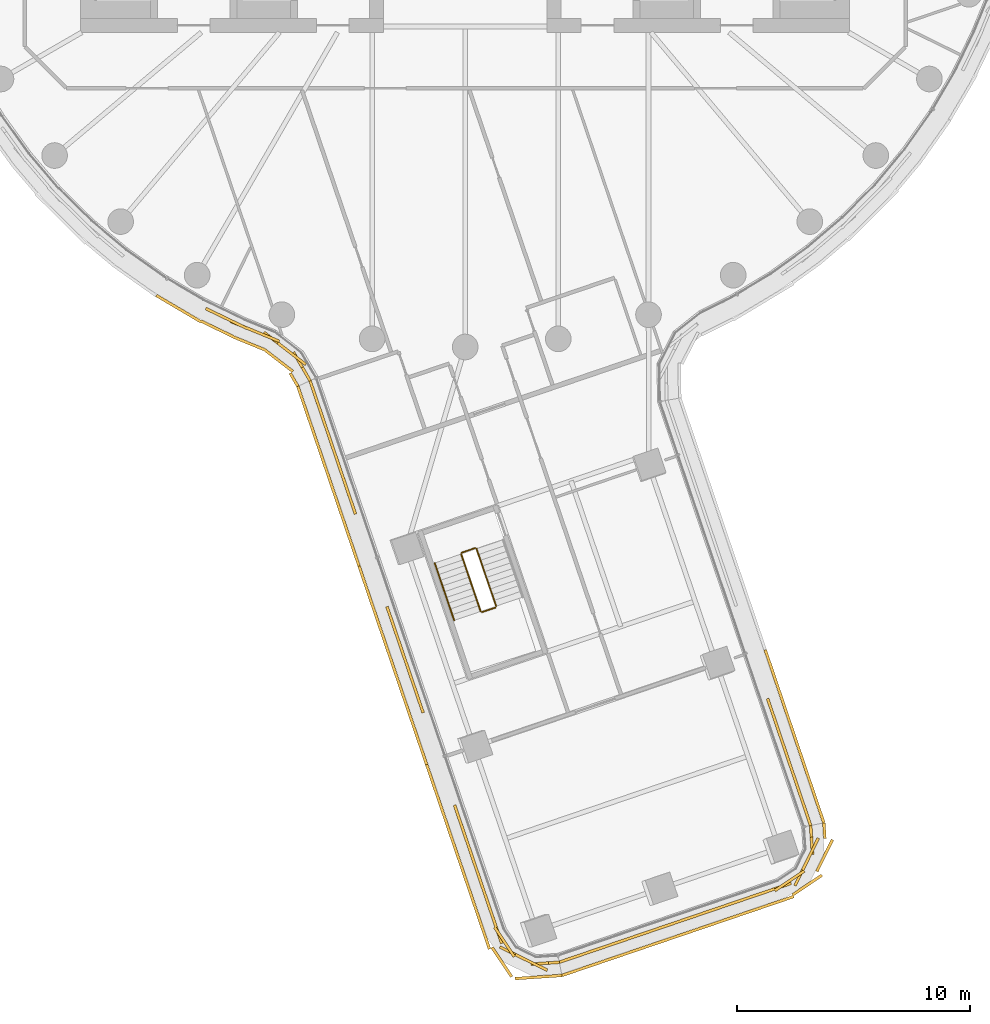
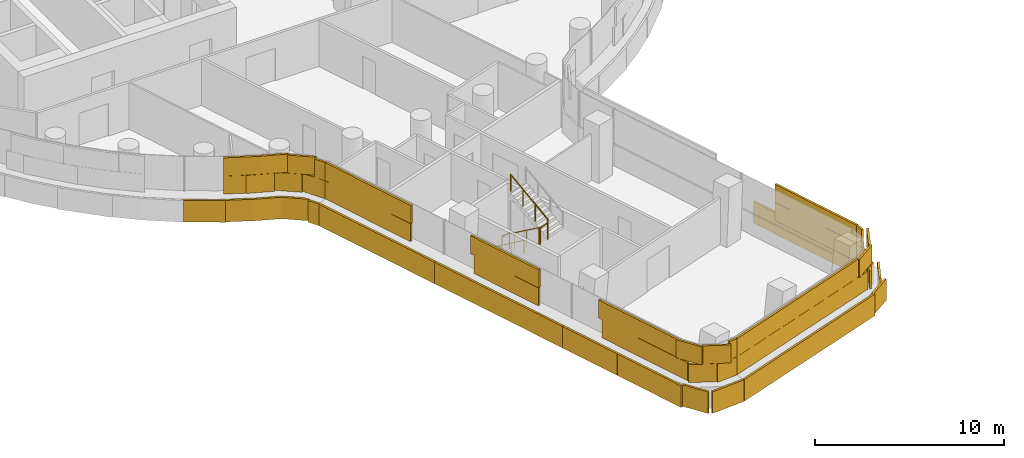
# One storey, part 23 of 29: 6 coverings, 5 railings.
"""IFC4 building model written with IfcOpenShell, lengths in metres."""

import ifcopenshell
import ifcopenshell.guid

model = None  # the IFC model being written
_history = None  # IfcOwnerHistory: only IFC2X3 demands one
_inside = {}  # id of a spatial element -> (the spatial element, [elements in it])
_under = {}  # id of a project, library or spatial element -> (it, [spatial elements below it])
_declared = {}  # id of a project -> (the project, [libraries it declares])
_typed = {}  # id of a type object -> (the type object, [elements of that type])
_made_of = {}  # id of a material, layer set ... -> (it, [elements and type objects made of it])


def new_model(schema):
    """Start an empty IFC model of exactly this schema.

    Asked for "IFC4X3", IfcOpenShell would pick the latest addendum, in which some entities
    have other attributes; the version numbers below select the first issue.
    IFC2X3 requires an IfcOwnerHistory on every rooted entity: one is made here for all.
    """
    global model, _history
    if schema == "IFC4X3":
        model = ifcopenshell.file(schema_version=(4, 3, 0, 0))
    else:
        model = ifcopenshell.file(schema=schema)
    _inside.clear()
    _under.clear()
    _declared.clear()
    _typed.clear()
    _made_of.clear()
    _history = None
    if model.schema == "IFC2X3":
        org = make("IfcOrganization", Name="unknown")
        user = make(
            "IfcPersonAndOrganization",
            ThePerson=make("IfcPerson", FamilyName="unknown"),
            TheOrganization=org,
        )
        app = make(
            "IfcApplication",
            ApplicationDeveloper=org,
            Version="unknown",
            ApplicationFullName="unknown",
            ApplicationIdentifier="unknown",
        )
        _history = make(
            "IfcOwnerHistory",
            OwningUser=user,
            OwningApplication=app,
            ChangeAction="ADDED",
            CreationDate=0,
        )
    return model


def make(cls, **values):
    """One entity of the class cls with the attributes given. An attribute that is None is left unset."""
    return model.create_entity(
        cls, **{name: value for name, value in values.items() if value is not None}
    )


def rooted(cls, **values):
    """An entity with a GlobalId (a new one), such as an element, a storey or a relation."""
    return make(cls, GlobalId=ifcopenshell.guid.new(), OwnerHistory=_history, **values)


def si_unit(unit_type, name, prefix=None):
    """IfcSIUnit, for example si_unit("LENGTHUNIT", "METRE", prefix="MILLI")."""
    return make("IfcSIUnit", UnitType=unit_type, Prefix=prefix, Name=name)


def assignment(units):
    """IfcUnitAssignment: the units of a project."""
    return None if units is None else make("IfcUnitAssignment", Units=units)


def point(xyz):
    """IfcCartesianPoint."""
    return None if xyz is None else make("IfcCartesianPoint", Coordinates=xyz)


def direction(xyz):
    """IfcDirection."""
    return None if xyz is None else make("IfcDirection", DirectionRatios=xyz)


def frame(location, z_axis=None, x_axis=None):
    """IfcAxis2Placement3D, a coordinate frame: its origin and axes. An axis left out is left unset."""
    return make(
        "IfcAxis2Placement3D",
        Location=point(location),
        Axis=direction(z_axis),
        RefDirection=direction(x_axis),
    )


def frame_2d(location, x_axis=None):
    """IfcAxis2Placement2D, a coordinate frame in the plane: its origin and x axis."""
    return make(
        "IfcAxis2Placement2D", Location=point(location), RefDirection=direction(x_axis)
    )


def origin():
    """The frame at (0, 0, 0) with its axes left unset."""
    return frame((0.0, 0.0, 0.0))


def origin_2d():
    """The frame at (0, 0) in the plane with its x axis left unset."""
    return frame_2d((0.0, 0.0))


def place(relative_to, where):
    """IfcLocalPlacement: puts the frame where relative to a parent placement (None: the world)."""
    return make(
        "IfcLocalPlacement", PlacementRelTo=relative_to, RelativePlacement=where
    )


def context(
    kind, dimensions, precision=None, world=None, true_north=None, identifier=None
):
    """IfcGeometricRepresentationContext, for example the 3D "Model" context."""
    return make(
        "IfcGeometricRepresentationContext",
        ContextIdentifier=identifier,
        ContextType=kind,
        CoordinateSpaceDimension=dimensions,
        Precision=precision,
        WorldCoordinateSystem=world,
        TrueNorth=true_north,
    )


def subcontext(parent, identifier, kind, view, scale=None):
    """IfcGeometricRepresentationSubContext, for example "Body" below "Model"."""
    return make(
        "IfcGeometricRepresentationSubContext",
        ContextIdentifier=identifier,
        ContextType=kind,
        ParentContext=parent,
        TargetScale=scale,
        TargetView=view,
    )


def project(units=None, contexts=None):
    """IfcProject with its units and contexts."""
    return rooted(
        "IfcProject",
        Name="project",
        RepresentationContexts=contexts,
        UnitsInContext=assignment(units),
    )


def spatial(cls, under=None, at=None, **own):
    """A site, building, storey or space (cls), placed at a placement, below another one or the project."""
    s = rooted(cls, ObjectPlacement=at, **own)
    if under is not None:
        _under.setdefault(under.id(), (under, []))[1].append(s)
    return s


def profile(cls, at=None, kind="AREA", **sizes):
    """A parametric profile (cls). Its sizes go by their IFC names, for example OverallWidth=200.0."""
    return make(cls, ProfileType=kind, Position=at, **sizes)


def rectangle(**sizes):
    """IfcRectangleProfileDef."""
    return profile("IfcRectangleProfileDef", **sizes)


def circle(**sizes):
    """IfcCircleProfileDef."""
    return profile("IfcCircleProfileDef", **sizes)


def extrude(swept, where, along, depth):
    """IfcExtrudedAreaSolid: the profile swept, set in the frame where, extruded along a direction by depth."""
    return make(
        "IfcExtrudedAreaSolid",
        SweptArea=swept,
        Position=where,
        ExtrudedDirection=direction(along),
        Depth=depth,
    )


def shape(context_of_items, identifier, shape_type, items):
    """IfcShapeRepresentation: the items that make up one representation, for example the "Body"."""
    return make(
        "IfcShapeRepresentation",
        ContextOfItems=context_of_items,
        RepresentationIdentifier=identifier,
        RepresentationType=shape_type,
        Items=items,
    )


def material(Name=None, Category=None):
    """IfcMaterial."""
    return make("IfcMaterial", Name=Name, Category=Category)


def layer(
    of_material, thickness, ventilated=None, Name=None, Category=None, Priority=None
):
    """IfcMaterialLayer: one layer of a wall or slab, of a material (None: an air gap)."""
    return make(
        "IfcMaterialLayer",
        Material=of_material,
        LayerThickness=thickness,
        IsVentilated=ventilated,
        Name=Name,
        Category=Category,
        Priority=Priority,
    )


def layer_set(layers, Name=None):
    """IfcMaterialLayerSet."""
    return make("IfcMaterialLayerSet", MaterialLayers=layers, LayerSetName=Name)


def made_of(thing, what):
    """Note that an element or type object is made of a material, layer set ...; save() writes the relation."""
    if what is not None:
        _made_of.setdefault(what.id(), (what, []))[1].append(thing)
    return thing


def type_object(cls, material=None, **own):
    """A type object (cls), such as IfcWallType, which elements share."""
    return made_of(rooted(cls, **own), material)


def element(
    cls,
    number,
    at=None,
    inside=None,
    cuts=None,
    type_object=None,
    material=None,
    context=None,
    identifier="Body",
    shape_type=None,
    held_by="IfcProductDefinitionShape",
    body=None,
    shapes=None,
    **own,
):
    """One element of the class cls, such as IfcWall. Its Tag is "e" and its number.

    at: its placement. inside: the storey or other place that contains it. cuts: it is an
    opening in that element (IfcRelVoidsElement). A single representation is given by context,
    identifier, shape_type and body (its items); several are given by shapes. held_by: the class
    of the entity that holds the representations. save() writes the other relations.
    """
    e = rooted(cls, Tag="e%d" % number, ObjectPlacement=at, **own)
    if body is not None:
        shapes = [shape(context, identifier, shape_type, body)]
    if shapes is not None:
        e.Representation = make(held_by, Representations=shapes)
    if inside is not None:
        _inside.setdefault(inside.id(), (inside, []))[1].append(e)
    if cuts is not None:
        rooted(
            "IfcRelVoidsElement", RelatingBuildingElement=cuts, RelatedOpeningElement=e
        )
    if type_object is not None:
        _typed.setdefault(type_object.id(), (type_object, []))[1].append(e)
    return made_of(e, material)


def aggregate(whole, parts):
    """IfcRelAggregates: a whole, such as a stair, and the parts it consists of."""
    return rooted("IfcRelAggregates", RelatingObject=whole, RelatedObjects=parts)


def save(model, path):
    """Write the relations noted so far, then the file.

    IfcRelAggregates (storeys below a building ...), IfcRelContainedInSpatialStructure (elements
    in a storey), IfcRelDefinesByType, IfcRelAssociatesMaterial and IfcRelDeclares: one each for
    every whole, place, type object, material and project.
    """
    for whole, parts in _under.values():
        aggregate(whole, parts)
    for where, things in _inside.values():
        rooted(
            "IfcRelContainedInSpatialStructure",
            RelatedElements=things,
            RelatingStructure=where,
        )
    for kind, things in _typed.values():
        rooted("IfcRelDefinesByType", RelatedObjects=things, RelatingType=kind)
    for what, things in _made_of.values():
        rooted("IfcRelAssociatesMaterial", RelatedObjects=things, RelatingMaterial=what)
    for by, libraries in _declared.values():
        rooted("IfcRelDeclares", RelatingContext=by, RelatedDefinitions=libraries)
    model.write(path)


model = new_model("IFC4")

# Units and contexts
model_context = context("Model", 3, precision=1e-05, world=origin(), true_north=direction((0.0, 1.0)))
body_context = subcontext(model_context, "Body", "Model", "MODEL_VIEW")
ifc_project = project(units=[si_unit("LENGTHUNIT", "METRE"), si_unit("AREAUNIT", "SQUARE_METRE"), si_unit("VOLUMEUNIT", "CUBIC_METRE"), si_unit("PLANEANGLEUNIT", "RADIAN"), si_unit("MASSUNIT", "GRAM", prefix="KILO")], contexts=[model_context])

# Site, building, storey
site_placement = place(None, origin())
site = spatial("IfcSite", under=ifc_project, at=site_placement, CompositionType="ELEMENT")
building_placement = place(site_placement, origin())
building = spatial("IfcBuilding", under=site, at=building_placement, Name="Tamarind Cross Interchange Tower", CompositionType="ELEMENT")
storey_placement = place(building_placement, frame((0.0, 0.0, 102.25)))
storey = spatial("IfcBuildingStorey", under=building, at=storey_placement, Name="L24", CompositionType="ELEMENT", Elevation=102.25)

# Railings
ifc_material_1 = material(Name="Stair guard")
railing_type_1 = type_object("IfcRailingType", Name="Stair guard", PredefinedType="GUARDRAIL", material=ifc_material_1)
railing_1_placement = place(storey_placement, frame((-0.173095703125, -31.883544921875, 0.17041015625)))
element("IfcRailing", 1, at=railing_1_placement, inside=storey, type_object=railing_type_1, Name="L24 ST6 stair guard 1", PredefinedType="GUARDRAIL", context=body_context, shape_type="SweptSolid", body=[
    extrude(circle(Radius=0.02392578125, at=origin_2d()), frame((0.0, 0.0, 1.076171875), z_axis=(0.269588544984, -0.791646408968, 0.548286402878), x_axis=(0.946616378448, 0.322362268348, 0.0)), (0.0, 0.0, 1.0), 3.10888671875),
    extrude(circle(Radius=0.02099609375, at=origin_2d()), origin(), (0.0, 0.0, 1.0), 1.052001953125),
    extrude(circle(Radius=0.02099609375, at=origin_2d()), frame((0.279296875, -0.8203125, 0.568115234375)), (0.0, 0.0, 1.0), 1.052001953125),
    extrude(circle(Radius=0.02099609375, at=origin_2d()), frame((0.558837890625, -1.640869140625, 1.136474609375)), (0.0, 0.0, 1.0), 1.052001953125),
    extrude(circle(Radius=0.02099609375, at=origin_2d()), frame((0.838134765625, -2.461181640625, 1.70458984375)), (0.0, 0.0, 1.0), 1.052001953125),
])
railing_2_placement = place(storey_placement, frame((0.728515625, -34.375732421875, 1.875)))
element("IfcRailing", 2, at=railing_2_placement, inside=storey, type_object=railing_type_1, Name="L24 ST6 stair guard 2", PredefinedType="GUARDRAIL", context=body_context, shape_type="SweptSolid", body=[
    extrude(circle(Radius=0.02392578125, at=origin_2d()), frame((0.0, 0.0, 1.076171875), z_axis=(0.946628770923, 0.322325875568, 0.0), x_axis=(-0.322325875568, 0.946628770923, 0.0)), (0.0, 0.0, 1.0), 0.599853515625),
    extrude(circle(Radius=0.02099609375, at=origin_2d()), origin(), (0.0, 0.0, 1.0), 1.052001953125),
    extrude(circle(Radius=0.02099609375, at=origin_2d()), frame((0.56787109375, 0.193359375, 0.0)), (0.0, 0.0, 1.0), 1.052001953125),
])
railing_3_placement = place(storey_placement, frame((1.32763671875, -34.118896484375, 2.04541015625)))
element("IfcRailing", 3, at=railing_3_placement, inside=storey, type_object=railing_type_1, Name="L24 ST6 stair guard 3", PredefinedType="GUARDRAIL", context=body_context, shape_type="SweptSolid", body=[
    extrude(circle(Radius=0.02392578125, at=origin_2d()), frame((0.0, 0.0, 1.076171875), z_axis=(-0.269588544984, 0.791646408968, 0.548286402878), x_axis=(-0.946616378448, -0.322362268348, 0.0)), (0.0, 0.0, 1.0), 3.10888671875),
    extrude(circle(Radius=0.02099609375, at=origin_2d()), origin(), (0.0, 0.0, 1.0), 1.052001953125),
    extrude(circle(Radius=0.02099609375, at=origin_2d()), frame((-0.279296875, 0.8203125, 0.568115234375)), (0.0, 0.0, 1.0), 1.052001953125),
    extrude(circle(Radius=0.02099609375, at=origin_2d()), frame((-0.558837890625, 1.640869140625, 1.136474609375)), (0.0, 0.0, 1.0), 1.052001953125),
    extrude(circle(Radius=0.02099609375, at=origin_2d()), frame((-0.838134765625, 2.461181640625, 1.70458984375)), (0.0, 0.0, 1.0), 1.052001953125),
])
railing_4_placement = place(storey_placement, frame((-0.141845703125, -31.820068359375, 0.0)))
element("IfcRailing", 4, at=railing_4_placement, inside=storey, type_object=railing_type_1, Name="L24 ST6 stair guard 4", PredefinedType="GUARDRAIL", context=body_context, shape_type="SweptSolid", body=[
    extrude(circle(Radius=0.02392578125, at=origin_2d()), frame((0.0, 0.0, 1.076171875), z_axis=(0.946504538931, 0.32269049844, 0.0), x_axis=(-0.32269049844, 0.946504538931, 0.0)), (0.0, 0.0, 1.0), 0.599853515625),
    extrude(circle(Radius=0.02099609375, at=origin_2d()), origin(), (0.0, 0.0, 1.0), 1.052001953125),
    extrude(circle(Radius=0.02099609375, at=origin_2d()), frame((0.56787109375, 0.193603515625, 0.0)), (0.0, 0.0, 1.0), 1.052001953125),
])
ifc_material_2 = material(Name="Stair handrail")
railing_type_2 = type_object("IfcRailingType", Name="Stair handrail", PredefinedType="HANDRAIL", material=ifc_material_2)
railing_5_placement = place(storey_placement, frame((-1.30908203125, -32.270263671875, 0.17041015625)))
element("IfcRailing", 5, at=railing_5_placement, inside=storey, type_object=railing_type_2, Name="L24 ST6 stair handrail 1", PredefinedType="HANDRAIL", context=body_context, shape_type="SweptSolid", body=[
    extrude(circle(Radius=0.02392578125, at=origin_2d()), frame((0.0, 0.0, 0.8759765625), z_axis=(0.269588544984, -0.791646408968, 0.548286402878), x_axis=(0.946616378448, 0.322362268348, 0.0)), (0.0, 0.0, 1.0), 3.10888671875),
    extrude(circle(Radius=0.02099609375, at=origin_2d()), origin(), (0.0, 0.0, 1.0), 0.851806640625),
    extrude(circle(Radius=0.02099609375, at=origin_2d()), frame((0.279296875, -0.8203125, 0.568115234375)), (0.0, 0.0, 1.0), 0.851806640625),
    extrude(circle(Radius=0.02099609375, at=origin_2d()), frame((0.558837890625, -1.640869140625, 1.136474609375)), (0.0, 0.0, 1.0), 0.851806640625),
    extrude(circle(Radius=0.02099609375, at=origin_2d()), frame((0.838134765625, -2.461181640625, 1.70458984375)), (0.0, 0.0, 1.0), 0.851806640625),
])

# Coverings
ifc_material_3 = material(Name="Terracotta", Category="masonry")
ifc_layer = layer(ifc_material_3, 0.1201171875)
ifc_layer_set = layer_set([ifc_layer], Name="Terracotta")
covering_type = type_object("IfcCoveringType", Name="Terracotta baguette screen unit", PredefinedType="MOLDING", material=ifc_layer_set)
covering_1_placement = place(storey_placement, origin())
element("IfcCovering", 6, at=covering_1_placement, inside=storey, type_object=covering_type, Name="SCR-L24-02-01", PredefinedType="MOLDING", context=body_context, shape_type="SweptSolid", body=[
    extrude(rectangle(XDim=1.19775390625, YDim=0.1201171875, at=origin_2d()), frame((-10.58984375, -21.610595703125, 1.404052734375), z_axis=(0.0, 0.0, 1.0), x_axis=(0.900272776334, -0.435326231914, 0.0)), (0.0, 0.0, 1.0), 1.1669921875),
    extrude(rectangle(XDim=1.52001953125, YDim=0.1201171875, at=origin_2d()), frame((-9.374267578125, -22.18310546875, 1.404052734375), z_axis=(0.0, 0.0, 1.0), x_axis=(0.925257922937, -0.379338603417, 0.0)), (0.0, 0.0, 1.0), 1.1669921875),
    extrude(rectangle(XDim=1.52001953125, YDim=0.1201171875, at=origin_2d()), frame((-8.033447265625, -22.833740234375, 1.404052734375), z_axis=(0.0, 0.0, 1.0), x_axis=(0.792378065232, -0.61003032854, 0.0)), (0.0, 0.0, 1.0), 1.1669921875),
    extrude(rectangle(XDim=1.421630859375, YDim=0.1201171875, at=origin_2d()), frame((-7.0107421875, -23.836669921875, 1.404052734375), z_axis=(0.0, 0.0, 1.0), x_axis=(0.502073640995, -0.864824871878, 0.0)), (0.0, 0.0, 1.0), 1.1669921875),
    extrude(rectangle(XDim=0.44775390625, YDim=0.1201171875, at=origin_2d()), frame((-10.927490234375, -21.447265625, 2.5791015625), z_axis=(0.0, 0.0, 1.0), x_axis=(0.900272776334, -0.435326231914, 0.0)), (0.0, 0.0, 1.0), 1.1669921875),
    extrude(rectangle(XDim=1.52001953125, YDim=0.1201171875, at=origin_2d()), frame((-10.05517578125, -21.869140625, 2.5791015625), z_axis=(0.0, 0.0, 1.0), x_axis=(0.900272776334, -0.435326231914, 0.0)), (0.0, 0.0, 1.0), 1.1669921875),
    extrude(rectangle(XDim=1.52001953125, YDim=0.1201171875, at=origin_2d()), frame((-8.680419921875, -22.467529296875, 2.5791015625), z_axis=(0.0, 0.0, 1.0), x_axis=(0.925257922937, -0.379338603417, 0.0)), (0.0, 0.0, 1.0), 1.1669921875),
    extrude(rectangle(XDim=1.52001953125, YDim=0.1201171875, at=origin_2d()), frame((-7.439208984375, -23.291259765625, 2.5791015625), z_axis=(0.0, 0.0, 1.0), x_axis=(0.792378065232, -0.61003032854, 0.0)), (0.0, 0.0, 1.0), 1.1669921875),
    extrude(rectangle(XDim=0.671630859375, YDim=0.1201171875, at=origin_2d()), frame((-6.822509765625, -24.160888671875, 2.5791015625), z_axis=(0.0, 0.0, 1.0), x_axis=(0.502073640995, -0.864824871878, 0.0)), (0.0, 0.0, 1.0), 1.1669921875),
    extrude(rectangle(XDim=0.731689453125, YDim=0.1201171875, at=origin_2d()), frame((-12.9375, -20.97509765625, 0.00390625), z_axis=(0.0, 0.0, 1.0), x_axis=(0.861248933065, -0.508183308752, 0.0)), (0.0, 0.0, 1.0), 1.39208984375),
    extrude(rectangle(XDim=1.52001953125, YDim=0.1201171875, at=origin_2d()), frame((-11.985107421875, -21.537109375, 0.00390625), z_axis=(0.0, 0.0, 1.0), x_axis=(0.861248933065, -0.508183308752, 0.0)), (0.0, 0.0, 1.0), 1.39208984375),
    extrude(rectangle(XDim=1.52001953125, YDim=0.1201171875, at=origin_2d()), frame((-10.650146484375, -22.218994140625, 0.00390625), z_axis=(0.0, 0.0, 1.0), x_axis=(0.900272776334, -0.435326231914, 0.0)), (0.0, 0.0, 1.0), 1.39208984375),
    extrude(rectangle(XDim=1.52001953125, YDim=0.1201171875, at=origin_2d()), frame((-9.285400390625, -22.840087890625, 0.00390625), z_axis=(0.0, 0.0, 1.0), x_axis=(0.925257922937, -0.379338603417, 0.0)), (0.0, 0.0, 1.0), 1.39208984375),
    extrude(rectangle(XDim=1.52001953125, YDim=0.1201171875, at=origin_2d()), frame((-7.998779296875, -23.584716796875, 0.00390625), z_axis=(0.0, 0.0, 1.0), x_axis=(0.792378065232, -0.61003032854, 0.0)), (0.0, 0.0, 1.0), 1.39208984375),
    extrude(rectangle(XDim=0.65283203125, YDim=0.1201171875, at=origin_2d()), frame((-7.345458984375, -24.403564453125, 0.00390625), z_axis=(0.0, 0.0, 1.0), x_axis=(0.502073640995, -0.864824871878, 0.0)), (0.0, 0.0, 1.0), 1.39208984375),
])
covering_2_placement = place(storey_placement, origin())
element("IfcCovering", 7, at=covering_2_placement, inside=storey, type_object=covering_type, Name="SCR-L24-03-00", PredefinedType="MOLDING", context=body_context, shape_type="SweptSolid", body=[
    extrude(rectangle(XDim=1.510009765625, YDim=0.1201171875, at=origin_2d()), frame((-6.414794921875, -25.156982421875, 1.404052734375), z_axis=(0.0, 0.0, 1.0), x_axis=(0.322371434957, -0.946613256786, 0.0)), (0.0, 0.0, 1.0), 1.1669921875),
    extrude(rectangle(XDim=1.52001953125, YDim=0.1201171875, at=origin_2d()), frame((-5.93115234375, -26.576904296875, 1.404052734375), z_axis=(0.0, 0.0, 1.0), x_axis=(0.322371434957, -0.946613256786, 0.0)), (0.0, 0.0, 1.0), 1.1669921875),
    extrude(rectangle(XDim=1.52001953125, YDim=0.1201171875, at=origin_2d()), frame((-5.447509765625, -27.996826171875, 1.404052734375), z_axis=(0.0, 0.0, 1.0), x_axis=(0.322371434957, -0.946613256786, 0.0)), (0.0, 0.0, 1.0), 1.1669921875),
    extrude(rectangle(XDim=1.52001953125, YDim=0.1201171875, at=origin_2d()), frame((-4.964111328125, -29.416748046875, 1.404052734375), z_axis=(0.0, 0.0, 1.0), x_axis=(0.322371434957, -0.946613256786, 0.0)), (0.0, 0.0, 1.0), 1.1669921875),
    extrude(rectangle(XDim=0.760009765625, YDim=0.1201171875, at=origin_2d()), frame((-6.53564453125, -24.802001953125, 2.5791015625), z_axis=(0.0, 0.0, 1.0), x_axis=(0.322371434957, -0.946613256786, 0.0)), (0.0, 0.0, 1.0), 1.1669921875),
    extrude(rectangle(XDim=1.52001953125, YDim=0.1201171875, at=origin_2d()), frame((-6.1728515625, -25.866943359375, 2.5791015625), z_axis=(0.0, 0.0, 1.0), x_axis=(0.322371434957, -0.946613256786, 0.0)), (0.0, 0.0, 1.0), 1.1669921875),
    extrude(rectangle(XDim=1.52001953125, YDim=0.1201171875, at=origin_2d()), frame((-5.689453125, -27.286865234375, 2.5791015625), z_axis=(0.0, 0.0, 1.0), x_axis=(0.322371434957, -0.946613256786, 0.0)), (0.0, 0.0, 1.0), 1.1669921875),
    extrude(rectangle(XDim=1.52001953125, YDim=0.1201171875, at=origin_2d()), frame((-5.205810546875, -28.706787109375, 2.5791015625), z_axis=(0.0, 0.0, 1.0), x_axis=(0.322371434957, -0.946613256786, 0.0)), (0.0, 0.0, 1.0), 1.1669921875),
    extrude(rectangle(XDim=0.79931640625, YDim=0.1201171875, at=origin_2d()), frame((-4.8369140625, -29.790283203125, 2.5791015625), z_axis=(0.0, 0.0, 1.0), x_axis=(0.322371434957, -0.946613256786, 0.0)), (0.0, 0.0, 1.0), 1.1669921875),
    extrude(rectangle(XDim=1.510009765625, YDim=0.1201171875, at=origin_2d()), frame((-6.938232421875, -25.400634765625, 0.00390625), z_axis=(0.0, 0.0, 1.0), x_axis=(0.322371434957, -0.946613256786, 0.0)), (0.0, 0.0, 1.0), 1.39208984375),
    extrude(rectangle(XDim=1.52001953125, YDim=0.1201171875, at=origin_2d()), frame((-6.4560546875, -26.81591796875, 0.00390625), z_axis=(0.0, 0.0, 1.0), x_axis=(0.322371434957, -0.946613256786, 0.0)), (0.0, 0.0, 1.0), 1.39208984375),
    extrude(rectangle(XDim=1.52001953125, YDim=0.1201171875, at=origin_2d()), frame((-5.97265625, -28.23583984375, 0.00390625), z_axis=(0.0, 0.0, 1.0), x_axis=(0.322371434957, -0.946613256786, 0.0)), (0.0, 0.0, 1.0), 1.39208984375),
    extrude(rectangle(XDim=1.52001953125, YDim=0.1201171875, at=origin_2d()), frame((-5.489013671875, -29.65576171875, 0.00390625), z_axis=(0.0, 0.0, 1.0), x_axis=(0.322371434957, -0.946613256786, 0.0)), (0.0, 0.0, 1.0), 1.39208984375),
    extrude(rectangle(XDim=1.52001953125, YDim=0.1201171875, at=origin_2d()), frame((-5.005615234375, -31.07568359375, 0.00390625), z_axis=(0.0, 0.0, 1.0), x_axis=(0.322371434957, -0.946613256786, 0.0)), (0.0, 0.0, 1.0), 1.39208984375),
    extrude(rectangle(XDim=0.655517578125, YDim=0.1201171875, at=origin_2d()), frame((-4.661376953125, -32.08642578125, 0.00390625), z_axis=(0.0, 0.0, 1.0), x_axis=(0.322371434957, -0.946613256786, 0.0)), (0.0, 0.0, 1.0), 1.39208984375),
])
covering_3_placement = place(storey_placement, origin())
element("IfcCovering", 8, at=covering_3_placement, inside=storey, type_object=covering_type, Name="SCR-L24-03-01", PredefinedType="MOLDING", context=body_context, shape_type="SweptSolid", body=[
    extrude(rectangle(XDim=1.52001953125, YDim=0.1201171875, at=origin_2d()), frame((-3.02978515625, -35.096435546875, 1.404052734375), z_axis=(0.0, 0.0, 1.0), x_axis=(0.322371434957, -0.946613256786, 0.0)), (0.0, 0.0, 1.0), 1.1669921875),
    extrude(rectangle(XDim=1.52001953125, YDim=0.1201171875, at=origin_2d()), frame((-2.54638671875, -36.516357421875, 1.404052734375), z_axis=(0.0, 0.0, 1.0), x_axis=(0.322371434957, -0.946613256786, 0.0)), (0.0, 0.0, 1.0), 1.1669921875),
    extrude(rectangle(XDim=1.52001953125, YDim=0.1201171875, at=origin_2d()), frame((-2.062744140625, -37.936279296875, 1.404052734375), z_axis=(0.0, 0.0, 1.0), x_axis=(0.322371434957, -0.946613256786, 0.0)), (0.0, 0.0, 1.0), 1.1669921875),
    extrude(rectangle(XDim=1.020751953125, YDim=0.1201171875, at=origin_2d()), frame((-3.192626953125, -34.6181640625, 2.5791015625), z_axis=(0.0, 0.0, 1.0), x_axis=(0.322371434957, -0.946613256786, 0.0)), (0.0, 0.0, 1.0), 1.1669921875),
    extrude(rectangle(XDim=1.52001953125, YDim=0.1201171875, at=origin_2d()), frame((-2.7880859375, -35.806396484375, 2.5791015625), z_axis=(0.0, 0.0, 1.0), x_axis=(0.322371434957, -0.946613256786, 0.0)), (0.0, 0.0, 1.0), 1.1669921875),
    extrude(rectangle(XDim=1.52001953125, YDim=0.1201171875, at=origin_2d()), frame((-2.304443359375, -37.226318359375, 2.5791015625), z_axis=(0.0, 0.0, 1.0), x_axis=(0.322371434957, -0.946613256786, 0.0)), (0.0, 0.0, 1.0), 1.1669921875),
    extrude(rectangle(XDim=0.80029296875, YDim=0.1201171875, at=origin_2d()), frame((-1.935302734375, -38.310302734375, 2.5791015625), z_axis=(0.0, 0.0, 1.0), x_axis=(0.322371434957, -0.946613256786, 0.0)), (0.0, 0.0, 1.0), 1.1669921875),
    extrude(rectangle(XDim=0.864501953125, YDim=0.1201171875, at=origin_2d()), frame((-4.416259765625, -32.8056640625, 0.00390625), z_axis=(0.0, 0.0, 1.0), x_axis=(0.322371434957, -0.946613256786, 0.0)), (0.0, 0.0, 1.0), 1.39208984375),
    extrude(rectangle(XDim=1.52001953125, YDim=0.1201171875, at=origin_2d()), frame((-4.038330078125, -33.91552734375, 0.00390625), z_axis=(0.0, 0.0, 1.0), x_axis=(0.322371434957, -0.946613256786, 0.0)), (0.0, 0.0, 1.0), 1.39208984375),
    extrude(rectangle(XDim=1.52001953125, YDim=0.1201171875, at=origin_2d()), frame((-3.554931640625, -35.33544921875, 0.00390625), z_axis=(0.0, 0.0, 1.0), x_axis=(0.322371434957, -0.946613256786, 0.0)), (0.0, 0.0, 1.0), 1.39208984375),
    extrude(rectangle(XDim=1.52001953125, YDim=0.1201171875, at=origin_2d()), frame((-3.0712890625, -36.75537109375, 0.00390625), z_axis=(0.0, 0.0, 1.0), x_axis=(0.322371434957, -0.946613256786, 0.0)), (0.0, 0.0, 1.0), 1.39208984375),
    extrude(rectangle(XDim=1.52001953125, YDim=0.1201171875, at=origin_2d()), frame((-2.587646484375, -38.17529296875, 0.00390625), z_axis=(0.0, 0.0, 1.0), x_axis=(0.322371434957, -0.946613256786, 0.0)), (0.0, 0.0, 1.0), 1.39208984375),
    extrude(rectangle(XDim=1.52001953125, YDim=0.1201171875, at=origin_2d()), frame((-2.104248046875, -39.59521484375, 0.00390625), z_axis=(0.0, 0.0, 1.0), x_axis=(0.322371434957, -0.946613256786, 0.0)), (0.0, 0.0, 1.0), 1.39208984375),
    extrude(rectangle(XDim=0.6630859375, YDim=0.1201171875, at=origin_2d()), frame((-1.7587890625, -40.609619140625, 0.00390625), z_axis=(0.0, 0.0, 1.0), x_axis=(0.322371434957, -0.946613256786, 0.0)), (0.0, 0.0, 1.0), 1.39208984375),
])
covering_4_placement = place(storey_placement, origin())
element("IfcCovering", 9, at=covering_4_placement, inside=storey, type_object=covering_type, Name="SCR-L24-03-02", PredefinedType="MOLDING", context=body_context, shape_type="SweptSolid", body=[
    extrude(rectangle(XDim=1.52001953125, YDim=0.1201171875, at=origin_2d()), frame((-0.12841796875, -43.615966796875, 1.404052734375), z_axis=(0.0, 0.0, 1.0), x_axis=(0.322371434957, -0.946613256786, 0.0)), (0.0, 0.0, 1.0), 1.1669921875),
    extrude(rectangle(XDim=1.52001953125, YDim=0.1201171875, at=origin_2d()), frame((0.35498046875, -45.035888671875, 1.404052734375), z_axis=(0.0, 0.0, 1.0), x_axis=(0.322371434957, -0.946613256786, 0.0)), (0.0, 0.0, 1.0), 1.1669921875),
    extrude(rectangle(XDim=1.52001953125, YDim=0.1201171875, at=origin_2d()), frame((0.838623046875, -46.455810546875, 1.404052734375), z_axis=(0.0, 0.0, 1.0), x_axis=(0.322371434957, -0.946613256786, 0.0)), (0.0, 0.0, 1.0), 1.1669921875),
    extrude(rectangle(XDim=1.52001953125, YDim=0.1201171875, at=origin_2d()), frame((1.322265625, -47.875732421875, 1.404052734375), z_axis=(0.0, 0.0, 1.0), x_axis=(0.322371434957, -0.946613256786, 0.0)), (0.0, 0.0, 1.0), 1.1669921875),
    extrude(rectangle(XDim=1.52001953125, YDim=0.1201171875, at=origin_2d()), frame((2.16552734375, -49.07568359375, 1.404052734375), z_axis=(0.0, 0.0, 1.0), x_axis=(0.897307680754, -0.441405625316, 0.0)), (0.0, 0.0, 1.0), 1.1669921875),
    extrude(rectangle(XDim=1.224853515625, YDim=0.1201171875, at=origin_2d()), frame((3.43017578125, -49.439453125, 1.404052734375), z_axis=(0.0, 0.0, 1.0), x_axis=(0.997794059201, 0.06638535548, 0.0)), (0.0, 0.0, 1.0), 1.1669921875),
    extrude(rectangle(XDim=1.01953125, YDim=0.1201171875, at=origin_2d()), frame((-0.291259765625, -43.13818359375, 2.5791015625), z_axis=(0.0, 0.0, 1.0), x_axis=(0.322371434957, -0.946613256786, 0.0)), (0.0, 0.0, 1.0), 1.1669921875),
    extrude(rectangle(XDim=1.52001953125, YDim=0.1201171875, at=origin_2d()), frame((0.11328125, -44.325927734375, 2.5791015625), z_axis=(0.0, 0.0, 1.0), x_axis=(0.322371434957, -0.946613256786, 0.0)), (0.0, 0.0, 1.0), 1.1669921875),
    extrude(rectangle(XDim=1.52001953125, YDim=0.1201171875, at=origin_2d()), frame((0.596923828125, -45.745849609375, 2.5791015625), z_axis=(0.0, 0.0, 1.0), x_axis=(0.322371434957, -0.946613256786, 0.0)), (0.0, 0.0, 1.0), 1.1669921875),
    extrude(rectangle(XDim=1.52001953125, YDim=0.1201171875, at=origin_2d()), frame((1.080322265625, -47.165771484375, 2.5791015625), z_axis=(0.0, 0.0, 1.0), x_axis=(0.322371434957, -0.946613256786, 0.0)), (0.0, 0.0, 1.0), 1.1669921875),
    extrude(rectangle(XDim=1.52001953125, YDim=0.1201171875, at=origin_2d()), frame((1.68359375, -48.526611328125, 2.5791015625), z_axis=(0.0, 0.0, 1.0), x_axis=(0.556388433886, -0.830922325274, 0.0)), (0.0, 0.0, 1.0), 1.1669921875),
    extrude(rectangle(XDim=1.52001953125, YDim=0.1201171875, at=origin_2d()), frame((2.838623046875, -49.40673828125, 2.5791015625), z_axis=(0.0, 0.0, 1.0), x_axis=(0.897307680754, -0.441405625316, 0.0)), (0.0, 0.0, 1.0), 1.1669921875),
    extrude(rectangle(XDim=0.474853515625, YDim=0.1201171875, at=origin_2d()), frame((3.804443359375, -49.41455078125, 2.5791015625), z_axis=(0.0, 0.0, 1.0), x_axis=(0.997794059201, 0.06638535548, 0.0)), (0.0, 0.0, 1.0), 1.1669921875),
    extrude(rectangle(XDim=0.85693359375, YDim=0.1201171875, at=origin_2d()), frame((-1.513671875, -41.328857421875, 0.00390625), z_axis=(0.0, 0.0, 1.0), x_axis=(0.322371434957, -0.946613256786, 0.0)), (0.0, 0.0, 1.0), 1.39208984375),
    extrude(rectangle(XDim=1.52001953125, YDim=0.1201171875, at=origin_2d()), frame((-1.136962890625, -42.43505859375, 0.00390625), z_axis=(0.0, 0.0, 1.0), x_axis=(0.322371434957, -0.946613256786, 0.0)), (0.0, 0.0, 1.0), 1.39208984375),
    extrude(rectangle(XDim=1.52001953125, YDim=0.1201171875, at=origin_2d()), frame((-0.653564453125, -43.85498046875, 0.00390625), z_axis=(0.0, 0.0, 1.0), x_axis=(0.322371434957, -0.946613256786, 0.0)), (0.0, 0.0, 1.0), 1.39208984375),
    extrude(rectangle(XDim=1.52001953125, YDim=0.1201171875, at=origin_2d()), frame((-0.169921875, -45.27490234375, 0.00390625), z_axis=(0.0, 0.0, 1.0), x_axis=(0.322371434957, -0.946613256786, 0.0)), (0.0, 0.0, 1.0), 1.39208984375),
    extrude(rectangle(XDim=1.52001953125, YDim=0.1201171875, at=origin_2d()), frame((0.313720703125, -46.69482421875, 0.00390625), z_axis=(0.0, 0.0, 1.0), x_axis=(0.322371434957, -0.946613256786, 0.0)), (0.0, 0.0, 1.0), 1.39208984375),
    extrude(rectangle(XDim=1.52001953125, YDim=0.1201171875, at=origin_2d()), frame((0.797119140625, -48.11474609375, 0.00390625), z_axis=(0.0, 0.0, 1.0), x_axis=(0.322371434957, -0.946613256786, 0.0)), (0.0, 0.0, 1.0), 1.39208984375),
    extrude(rectangle(XDim=1.52001953125, YDim=0.1201171875, at=origin_2d()), frame((1.571533203125, -49.390869140625, 0.00390625), z_axis=(0.0, 0.0, 1.0), x_axis=(0.556388433886, -0.830922325274, 0.0)), (0.0, 0.0, 1.0), 1.39208984375),
    extrude(rectangle(XDim=1.52001953125, YDim=0.1201171875, at=origin_2d()), frame((2.90283203125, -50.0498046875, 0.00390625), z_axis=(0.0, 0.0, 1.0), x_axis=(0.997794059201, 0.06638535548, 0.0)), (0.0, 0.0, 1.0), 1.39208984375),
    extrude(rectangle(XDim=0.509765625, YDim=0.1201171875, at=origin_2d()), frame((3.8955078125, -49.983642578125, 0.00390625), z_axis=(0.0, 0.0, 1.0), x_axis=(0.997794059201, 0.06638535548, 0.0)), (0.0, 0.0, 1.0), 1.39208984375),
])
covering_5_placement = place(storey_placement, origin())
element("IfcCovering", 10, at=covering_5_placement, inside=storey, type_object=covering_type, Name="SCR-L24-04-00", PredefinedType="MOLDING", context=body_context, shape_type="SweptSolid", body=[
    extrude(rectangle(XDim=1.510009765625, YDim=0.1201171875, at=origin_2d()), frame((4.746337890625, -49.1572265625, 1.404052734375), z_axis=(0.0, 0.0, 1.0), x_axis=(0.946613256786, 0.322371434957, 0.0)), (0.0, 0.0, 1.0), 1.1669921875),
    extrude(rectangle(XDim=1.52001953125, YDim=0.1201171875, at=origin_2d()), frame((6.166259765625, -48.673828125, 1.404052734375), z_axis=(0.0, 0.0, 1.0), x_axis=(0.946613256786, 0.322371434957, 0.0)), (0.0, 0.0, 1.0), 1.1669921875),
    extrude(rectangle(XDim=1.52001953125, YDim=0.1201171875, at=origin_2d()), frame((7.586181640625, -48.190185546875, 1.404052734375), z_axis=(0.0, 0.0, 1.0), x_axis=(0.946613256786, 0.322371434957, 0.0)), (0.0, 0.0, 1.0), 1.1669921875),
    extrude(rectangle(XDim=1.52001953125, YDim=0.1201171875, at=origin_2d()), frame((9.006103515625, -47.70654296875, 1.404052734375), z_axis=(0.0, 0.0, 1.0), x_axis=(0.946613256786, 0.322371434957, 0.0)), (0.0, 0.0, 1.0), 1.1669921875),
    extrude(rectangle(XDim=1.52001953125, YDim=0.1201171875, at=origin_2d()), frame((10.426025390625, -47.22314453125, 1.404052734375), z_axis=(0.0, 0.0, 1.0), x_axis=(0.946613256786, 0.322371434957, 0.0)), (0.0, 0.0, 1.0), 1.1669921875),
    extrude(rectangle(XDim=1.52001953125, YDim=0.1201171875, at=origin_2d()), frame((11.845947265625, -46.739501953125, 1.404052734375), z_axis=(0.0, 0.0, 1.0), x_axis=(0.946613256786, 0.322371434957, 0.0)), (0.0, 0.0, 1.0), 1.1669921875),
    extrude(rectangle(XDim=1.52001953125, YDim=0.1201171875, at=origin_2d()), frame((13.265869140625, -46.255859375, 1.404052734375), z_axis=(0.0, 0.0, 1.0), x_axis=(0.946613256786, 0.322371434957, 0.0)), (0.0, 0.0, 1.0), 1.1669921875),
    extrude(rectangle(XDim=1.52001953125, YDim=0.1201171875, at=origin_2d()), frame((14.4833984375, -45.4326171875, 1.404052734375), z_axis=(0.0, 0.0, 1.0), x_axis=(0.441405625316, 0.897307680754, 0.0)), (0.0, 0.0, 1.0), 1.1669921875),
    extrude(rectangle(XDim=1.259521484375, YDim=0.1201171875, at=origin_2d()), frame((14.863525390625, -44.154052734375, 1.404052734375), z_axis=(0.0, 0.0, 1.0), x_axis=(-0.06638535548, 0.997794059201, 0.0)), (0.0, 0.0, 1.0), 1.1669921875),
    extrude(rectangle(XDim=0.760009765625, YDim=0.1201171875, at=origin_2d()), frame((4.391357421875, -49.278076171875, 2.5791015625), z_axis=(0.0, 0.0, 1.0), x_axis=(0.946613256786, 0.322371434957, 0.0)), (0.0, 0.0, 1.0), 1.1669921875),
    extrude(rectangle(XDim=1.52001953125, YDim=0.1201171875, at=origin_2d()), frame((5.456298828125, -48.91552734375, 2.5791015625), z_axis=(0.0, 0.0, 1.0), x_axis=(0.946613256786, 0.322371434957, 0.0)), (0.0, 0.0, 1.0), 1.1669921875),
    extrude(rectangle(XDim=1.52001953125, YDim=0.1201171875, at=origin_2d()), frame((6.876220703125, -48.431884765625, 2.5791015625), z_axis=(0.0, 0.0, 1.0), x_axis=(0.946613256786, 0.322371434957, 0.0)), (0.0, 0.0, 1.0), 1.1669921875),
    extrude(rectangle(XDim=1.52001953125, YDim=0.1201171875, at=origin_2d()), frame((8.296142578125, -47.948486328125, 2.5791015625), z_axis=(0.0, 0.0, 1.0), x_axis=(0.946613256786, 0.322371434957, 0.0)), (0.0, 0.0, 1.0), 1.1669921875),
    extrude(rectangle(XDim=1.52001953125, YDim=0.1201171875, at=origin_2d()), frame((9.716064453125, -47.46484375, 2.5791015625), z_axis=(0.0, 0.0, 1.0), x_axis=(0.946613256786, 0.322371434957, 0.0)), (0.0, 0.0, 1.0), 1.1669921875),
    extrude(rectangle(XDim=1.52001953125, YDim=0.1201171875, at=origin_2d()), frame((11.135986328125, -46.981201171875, 2.5791015625), z_axis=(0.0, 0.0, 1.0), x_axis=(0.946613256786, 0.322371434957, 0.0)), (0.0, 0.0, 1.0), 1.1669921875),
    extrude(rectangle(XDim=1.52001953125, YDim=0.1201171875, at=origin_2d()), frame((12.555908203125, -46.497802734375, 2.5791015625), z_axis=(0.0, 0.0, 1.0), x_axis=(0.946613256786, 0.322371434957, 0.0)), (0.0, 0.0, 1.0), 1.1669921875),
    extrude(rectangle(XDim=1.52001953125, YDim=0.1201171875, at=origin_2d()), frame((13.920654296875, -45.90283203125, 2.5791015625), z_axis=(0.0, 0.0, 1.0), x_axis=(0.830922325274, 0.556388433886, 0.0)), (0.0, 0.0, 1.0), 1.1669921875),
    extrude(rectangle(XDim=1.52001953125, YDim=0.1201171875, at=origin_2d()), frame((14.814453125, -44.759521484375, 2.5791015625), z_axis=(0.0, 0.0, 1.0), x_axis=(0.441405625316, 0.897307680754, 0.0)), (0.0, 0.0, 1.0), 1.1669921875),
    extrude(rectangle(XDim=0.509521484375, YDim=0.1201171875, at=origin_2d()), frame((14.838623046875, -43.780029296875, 2.5791015625), z_axis=(0.0, 0.0, 1.0), x_axis=(-0.06638535548, 0.997794059201, 0.0)), (0.0, 0.0, 1.0), 1.1669921875),
    extrude(rectangle(XDim=1.510009765625, YDim=0.1201171875, at=origin_2d()), frame((4.864501953125, -49.723388671875, 0.00390625), z_axis=(0.0, 0.0, 1.0), x_axis=(0.946613256786, 0.322371434957, 0.0)), (0.0, 0.0, 1.0), 1.39208984375),
    extrude(rectangle(XDim=1.52001953125, YDim=0.1201171875, at=origin_2d()), frame((6.27978515625, -49.241455078125, 0.00390625), z_axis=(0.0, 0.0, 1.0), x_axis=(0.946613256786, 0.322371434957, 0.0)), (0.0, 0.0, 1.0), 1.39208984375),
    extrude(rectangle(XDim=1.52001953125, YDim=0.1201171875, at=origin_2d()), frame((7.69970703125, -48.7578125, 0.00390625), z_axis=(0.0, 0.0, 1.0), x_axis=(0.946613256786, 0.322371434957, 0.0)), (0.0, 0.0, 1.0), 1.39208984375),
    extrude(rectangle(XDim=1.52001953125, YDim=0.1201171875, at=origin_2d()), frame((9.11962890625, -48.2744140625, 0.00390625), z_axis=(0.0, 0.0, 1.0), x_axis=(0.946613256786, 0.322371434957, 0.0)), (0.0, 0.0, 1.0), 1.39208984375),
    extrude(rectangle(XDim=1.52001953125, YDim=0.1201171875, at=origin_2d()), frame((10.53955078125, -47.790771484375, 0.00390625), z_axis=(0.0, 0.0, 1.0), x_axis=(0.946613256786, 0.322371434957, 0.0)), (0.0, 0.0, 1.0), 1.39208984375),
    extrude(rectangle(XDim=1.52001953125, YDim=0.1201171875, at=origin_2d()), frame((11.95947265625, -47.30712890625, 0.00390625), z_axis=(0.0, 0.0, 1.0), x_axis=(0.946613256786, 0.322371434957, 0.0)), (0.0, 0.0, 1.0), 1.39208984375),
    extrude(rectangle(XDim=1.52001953125, YDim=0.1201171875, at=origin_2d()), frame((13.37939453125, -46.82373046875, 0.00390625), z_axis=(0.0, 0.0, 1.0), x_axis=(0.946613256786, 0.322371434957, 0.0)), (0.0, 0.0, 1.0), 1.39208984375),
    extrude(rectangle(XDim=1.52001953125, YDim=0.1201171875, at=origin_2d()), frame((14.6748046875, -46.088623046875, 0.00390625), z_axis=(0.0, 0.0, 1.0), x_axis=(0.830922325274, 0.556388433886, 0.0)), (0.0, 0.0, 1.0), 1.39208984375),
    extrude(rectangle(XDim=1.52001953125, YDim=0.1201171875, at=origin_2d()), frame((15.4248046875, -44.8193359375, 0.00390625), z_axis=(0.0, 0.0, 1.0), x_axis=(0.441405625316, 0.897307680754, 0.0)), (0.0, 0.0, 1.0), 1.39208984375),
    extrude(rectangle(XDim=0.6767578125, YDim=0.1201171875, at=origin_2d()), frame((15.412353515625, -43.755126953125, 0.00390625), z_axis=(0.0, 0.0, 1.0), x_axis=(-0.06638535548, 0.997794059201, 0.0)), (0.0, 0.0, 1.0), 1.39208984375),
])
covering_6_placement = place(storey_placement, origin())
element("IfcCovering", 11, at=covering_6_placement, inside=storey, type_object=covering_type, Name="SCR-L24-05-00", PredefinedType="MOLDING", context=body_context, shape_type="SweptSolid", body=[
    extrude(rectangle(XDim=1.510009765625, YDim=0.1201171875, at=origin_2d()), frame((14.58154296875, -42.8203125, 1.404052734375), z_axis=(0.0, 0.0, 1.0), x_axis=(-0.320959297445, 0.947092988773, 0.0)), (0.0, 0.0, 1.0), 1.1669921875),
    extrude(rectangle(XDim=1.52001953125, YDim=0.1201171875, at=origin_2d()), frame((14.10009765625, -41.399658203125, 1.404052734375), z_axis=(0.0, 0.0, 1.0), x_axis=(-0.320959297445, 0.947092988773, 0.0)), (0.0, 0.0, 1.0), 1.1669921875),
    extrude(rectangle(XDim=1.52001953125, YDim=0.1201171875, at=origin_2d()), frame((13.61865234375, -39.97900390625, 1.404052734375), z_axis=(0.0, 0.0, 1.0), x_axis=(-0.320959297445, 0.947092988773, 0.0)), (0.0, 0.0, 1.0), 1.1669921875),
    extrude(rectangle(XDim=1.256591796875, YDim=0.1201171875, at=origin_2d()), frame((13.177734375, -38.678466796875, 1.404052734375), z_axis=(0.0, 0.0, 1.0), x_axis=(-0.320959297445, 0.947092988773, 0.0)), (0.0, 0.0, 1.0), 1.1669921875),
    extrude(rectangle(XDim=0.760009765625, YDim=0.1201171875, at=origin_2d()), frame((14.701904296875, -43.175537109375, 2.5791015625), z_axis=(0.0, 0.0, 1.0), x_axis=(-0.320959297445, 0.947092988773, 0.0)), (0.0, 0.0, 1.0), 1.1669921875),
    extrude(rectangle(XDim=1.52001953125, YDim=0.1201171875, at=origin_2d()), frame((14.3408203125, -42.110107421875, 2.5791015625), z_axis=(0.0, 0.0, 1.0), x_axis=(-0.320959297445, 0.947092988773, 0.0)), (0.0, 0.0, 1.0), 1.1669921875),
    extrude(rectangle(XDim=1.52001953125, YDim=0.1201171875, at=origin_2d()), frame((13.859375, -40.689453125, 2.5791015625), z_axis=(0.0, 0.0, 1.0), x_axis=(-0.320959297445, 0.947092988773, 0.0)), (0.0, 0.0, 1.0), 1.1669921875),
    extrude(rectangle(XDim=1.52001953125, YDim=0.1201171875, at=origin_2d()), frame((13.3779296875, -39.268798828125, 2.5791015625), z_axis=(0.0, 0.0, 1.0), x_axis=(-0.320959297445, 0.947092988773, 0.0)), (0.0, 0.0, 1.0), 1.1669921875),
    extrude(rectangle(XDim=0.506591796875, YDim=0.1201171875, at=origin_2d()), frame((13.057373046875, -38.3232421875, 2.5791015625), z_axis=(0.0, 0.0, 1.0), x_axis=(-0.320959297445, 0.947092988773, 0.0)), (0.0, 0.0, 1.0), 1.1669921875),
    extrude(rectangle(XDim=1.510009765625, YDim=0.1201171875, at=origin_2d()), frame((15.1474609375, -42.70263671875, 0.00390625), z_axis=(0.0, 0.0, 1.0), x_axis=(-0.320959297445, 0.947092988773, 0.0)), (0.0, 0.0, 1.0), 1.39208984375),
    extrude(rectangle(XDim=1.52001953125, YDim=0.1201171875, at=origin_2d()), frame((14.667724609375, -41.28662109375, 0.00390625), z_axis=(0.0, 0.0, 1.0), x_axis=(-0.320959297445, 0.947092988773, 0.0)), (0.0, 0.0, 1.0), 1.39208984375),
    extrude(rectangle(XDim=1.52001953125, YDim=0.1201171875, at=origin_2d()), frame((14.186279296875, -39.865966796875, 0.00390625), z_axis=(0.0, 0.0, 1.0), x_axis=(-0.320959297445, 0.947092988773, 0.0)), (0.0, 0.0, 1.0), 1.39208984375),
    extrude(rectangle(XDim=1.52001953125, YDim=0.1201171875, at=origin_2d()), frame((13.704833984375, -38.4453125, 0.00390625), z_axis=(0.0, 0.0, 1.0), x_axis=(-0.320959297445, 0.947092988773, 0.0)), (0.0, 0.0, 1.0), 1.39208984375),
    extrude(rectangle(XDim=1.52001953125, YDim=0.1201171875, at=origin_2d()), frame((13.223388671875, -37.024658203125, 0.00390625), z_axis=(0.0, 0.0, 1.0), x_axis=(-0.320959297445, 0.947092988773, 0.0)), (0.0, 0.0, 1.0), 1.39208984375),
    extrude(rectangle(XDim=0.350341796875, YDim=0.1201171875, at=origin_2d()), frame((12.9296875, -36.157958984375, 0.00390625), z_axis=(0.0, 0.0, 1.0), x_axis=(-0.320959297445, 0.947092988773, 0.0)), (0.0, 0.0, 1.0), 1.39208984375),
])

save(model, "model.ifc")
